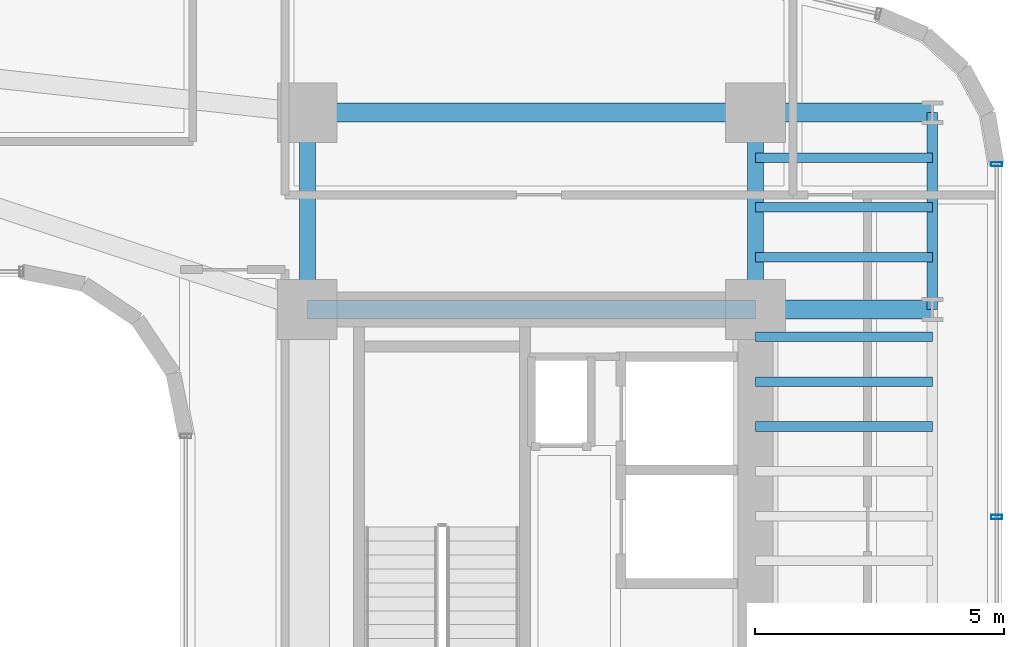
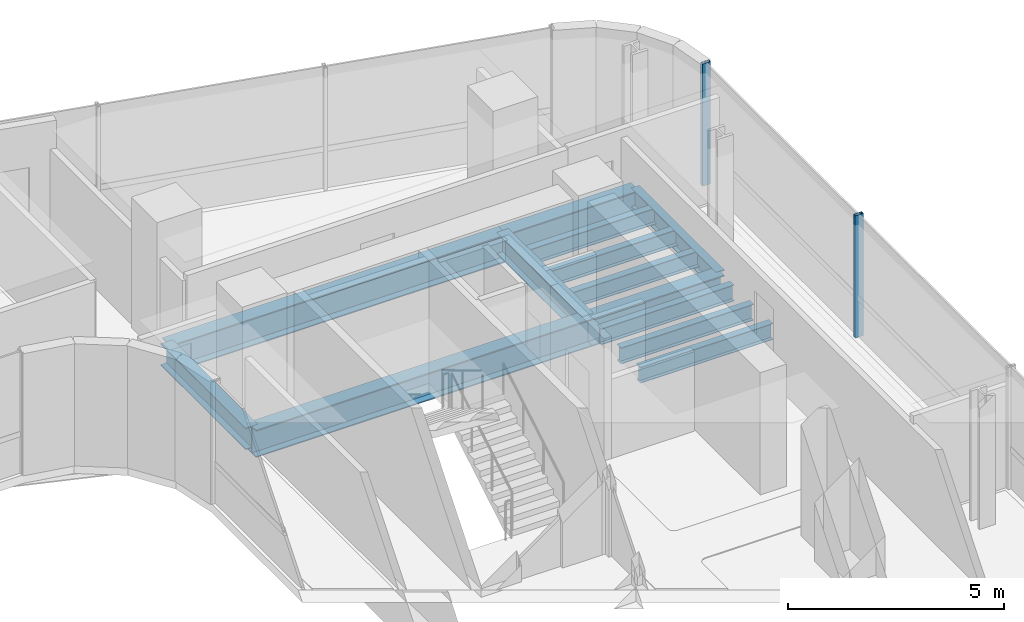
# One storey, part 17 of 34: 13 beams, 2 members, 1 element without a shape of its own.
"""IFC4 building model written with IfcOpenShell, lengths in metres."""

from ifc_helpers import new_model, si_unit, direction, frame, origin, origin_2d, place, context, subcontext, project, spatial, hollow_rectangle, i_section, extrude, source, transform, mapped, material, material_profile, profile_set, type_object, element, aggregate, save


model = new_model("IFC4")

# Units and contexts
model_context = context("Model", 3, precision=1e-05, world=origin(), true_north=direction((0.0, 1.0)))
body_context = subcontext(model_context, "Body", "Model", "MODEL_VIEW")
ifc_project = project(units=[si_unit("LENGTHUNIT", "METRE"), si_unit("AREAUNIT", "SQUARE_METRE"), si_unit("VOLUMEUNIT", "CUBIC_METRE"), si_unit("PLANEANGLEUNIT", "RADIAN"), si_unit("MASSUNIT", "GRAM", prefix="KILO")], contexts=[model_context])

# Site, building, storey
site_placement = place(None, origin())
site = spatial("IfcSite", under=ifc_project, at=site_placement, CompositionType="ELEMENT")
building_placement = place(site_placement, origin())
building = spatial("IfcBuilding", under=site, at=building_placement, Name="Valdorenza Pilgrim Sanctuary Tower", CompositionType="ELEMENT")
storey_placement = place(building_placement, frame((0.0, 0.0, 142.699951171875)))
storey = spatial("IfcBuildingStorey", under=building, at=storey_placement, Name="L36", CompositionType="ELEMENT", Elevation=142.699951171875)

# Beams
ifc_material_1 = material(Name="Steel ASTM A992 Grade 50", Category="steel")
ifc_material_profile_1 = material_profile(ifc_material_1, i_section(OverallWidth=0.323974609375, OverallDepth=0.611083984375, WebThickness=0.0126953125, FlangeThickness=0.01904296875, at=origin_2d()), Name="W24X104")
ifc_profile_set_1 = profile_set([ifc_material_profile_1], Name="Steel ASTM A992 Grade 50")
beam_type_1 = type_object("IfcBeamType", Name="STR-BM-GRD-W24B", PredefinedType="BEAM", material=ifc_profile_set_1)
shared_shape_1 = source(origin(), body_context, "Body", "SweptSolid", [
    extrude(i_section(OverallWidth=0.323974609375, OverallDepth=0.611083984375, WebThickness=0.0126953125, FlangeThickness=0.01904296875, at=origin_2d()), origin(), (0.0, 0.0, 1.0), 3.949951171875),
])
for number, where, z_axis, x_axis, name in (
    (1, (15.85009765625, 9.550048828125, -0.54541015625), (0.0, 1.0, 0.0), (-1.0, 0.0, 0.0), "L36 Core Tie Girder CB-W-N1N2"),
    (2, (24.85009765625, 9.550048828125, -0.54541015625), (0.0, 1.0, 0.0), (-1.0, 0.0, 0.0), "L36 Core Tie Girder CB-E-N1N2"),
):
    element("IfcBeam", number, at=place(storey_placement, frame(where, z_axis=z_axis, x_axis=x_axis)), inside=storey, type_object=beam_type_1, Name=name, PredefinedType="BEAM", context=body_context, shape_type="MappedRepresentation", body=[
        mapped(shared_shape_1, transform((0.0, 0.0, 0.0), x_axis=(1.0, 0.0, 0.0), y_axis=(0.0, 1.0, 0.0), z_axis=(0.0, 0.0, 1.0), scale=1.0)),
    ])
ifc_material_profile_2 = material_profile(ifc_material_1, i_section(OverallWidth=0.214111328125, OverallDepth=0.549072265625, WebThickness=0.0146484375, FlangeThickness=0.023681640625, at=origin_2d()), Name="W21X93")
ifc_profile_set_2 = profile_set([ifc_material_profile_2], Name="Steel ASTM A992 Grade 50")
beam_type_2 = type_object("IfcBeamType", Name="STR-BM-SPN-W21A", PredefinedType="SPANDREL", material=ifc_profile_set_2)
shared_shape_2 = source(origin(), body_context, "Body", "SweptSolid", [
    extrude(i_section(OverallWidth=0.214111328125, OverallDepth=0.549072265625, WebThickness=0.0146484375, FlangeThickness=0.023681640625, at=origin_2d()), origin(), (0.0, 0.0, 1.0), 3.949951171875),
])
beam_placement = place(storey_placement, frame((28.39990234375, 9.550048828125, -0.514404296875), z_axis=(0.0, 1.0, 0.0), x_axis=(-1.0, 0.0, 0.0)))
element("IfcBeam", 3, at=beam_placement, inside=storey, type_object=beam_type_2, Name="L36 Spandrel Beam WB-E-N1N2", PredefinedType="SPANDREL", context=body_context, shape_type="MappedRepresentation", body=[
    mapped(shared_shape_2, transform((0.0, 0.0, 0.0), x_axis=(1.0, 0.0, 0.0), y_axis=(0.0, 1.0, 0.0), z_axis=(0.0, 0.0, 1.0), scale=1.0)),
])
ifc_material_profile_3 = material_profile(ifc_material_1, i_section(OverallWidth=0.382080078125, OverallDepth=0.779052734375, WebThickness=0.01806640625, FlangeThickness=0.030029296875, at=origin_2d()), Name="W30X191")
ifc_profile_set_3 = profile_set([ifc_material_profile_3], Name="Steel ASTM A992 Grade 50")
beam_type_3 = type_object("IfcBeamType", Name="STR-BM-GRD-W30", PredefinedType="BEAM", material=ifc_profile_set_3)
shared_shape_3 = source(origin(), body_context, "Body", "SweptSolid", [
    extrude(i_section(OverallWidth=0.382080078125, OverallDepth=0.779052734375, WebThickness=0.01806640625, FlangeThickness=0.030029296875, at=origin_2d()), origin(), (0.0, 0.0, 1.0), 9.0),
])
for number, where, z_axis, x_axis, name in (
    (4, (15.85009765625, 9.550048828125, -0.62939453125), (1.0, 0.0, 0.0), (0.0, 1.0, 0.0), "L36 Floor Girder CB-XC-N1"),
    (5, (15.85009765625, 13.5, -0.62939453125), (1.0, 0.0, 0.0), (0.0, 1.0, 0.0), "L36 Floor Girder CB-XC-N2"),
):
    element("IfcBeam", number, at=place(storey_placement, frame(where, z_axis=z_axis, x_axis=x_axis)), inside=storey, type_object=beam_type_3, Name=name, PredefinedType="BEAM", context=body_context, shape_type="MappedRepresentation", body=[
        mapped(shared_shape_3, transform((0.0, 0.0, 0.0), x_axis=(1.0, 0.0, 0.0), y_axis=(0.0, 1.0, 0.0), z_axis=(0.0, 0.0, 1.0), scale=1.0)),
    ])
shared_shape_4 = source(origin(), body_context, "Body", "SweptSolid", [
    extrude(i_section(OverallWidth=0.382080078125, OverallDepth=0.779052734375, WebThickness=0.01806640625, FlangeThickness=0.030029296875, at=origin_2d()), origin(), (0.0, 0.0, 1.0), 3.5498046875),
])
for number, where, z_axis, x_axis, name in (
    (6, (24.85009765625, 9.550048828125, -0.62939453125), (1.0, 0.0, 0.0), (0.0, 1.0, 0.0), "L36 Floor Girder WB-XE-N1"),
    (7, (24.85009765625, 13.5, -0.62939453125), (1.0, 0.0, 0.0), (0.0, 1.0, 0.0), "L36 Floor Girder WB-XE-N2"),
):
    element("IfcBeam", number, at=place(storey_placement, frame(where, z_axis=z_axis, x_axis=x_axis)), inside=storey, type_object=beam_type_3, Name=name, PredefinedType="BEAM", context=body_context, shape_type="MappedRepresentation", body=[
        mapped(shared_shape_4, transform((0.0, 0.0, 0.0), x_axis=(1.0, 0.0, 0.0), y_axis=(0.0, 1.0, 0.0), z_axis=(0.0, 0.0, 1.0), scale=1.0)),
    ])
ifc_material_profile_4 = material_profile(ifc_material_1, i_section(OverallWidth=0.19091796875, OverallDepth=0.45703125, WebThickness=0.009033203125, FlangeThickness=0.014404296875, at=origin_2d()), Name="W18X50")
ifc_profile_set_4 = profile_set([ifc_material_profile_4], Name="Steel ASTM A992 Grade 50")
beam_type_4 = type_object("IfcBeamType", Name="STR-BM-JST-W18B", PredefinedType="JOIST", material=ifc_profile_set_4)
shared_shape_5 = source(origin(), body_context, "Body", "SweptSolid", [
    extrude(i_section(OverallWidth=0.19091796875, OverallDepth=0.45703125, WebThickness=0.009033203125, FlangeThickness=0.014404296875, at=origin_2d()), origin(), (0.0, 0.0, 1.0), 3.5498046875),
])
for number, where, z_axis, x_axis, name in (
    (8, (24.85009765625, 7.199951171875, -0.468505859375), (1.0, 0.0, 0.0), (0.0, 1.0, 0.0), "L36 Composite Floor Joist JST-WB-16"),
    (9, (24.85009765625, 8.10009765625, -0.468505859375), (1.0, 0.0, 0.0), (0.0, 1.0, 0.0), "L36 Composite Floor Joist JST-WB-17"),
    (10, (24.85009765625, 9.0, -0.468505859375), (1.0, 0.0, 0.0), (0.0, 1.0, 0.0), "L36 Composite Floor Joist JST-WB-18"),
    (11, (24.85009765625, 10.60009765625, -0.468505859375), (1.0, 0.0, 0.0), (0.0, 1.0, 0.0), "L36 Composite Floor Joist JST-WB-19"),
    (12, (24.85009765625, 11.60009765625, -0.468505859375), (1.0, 0.0, 0.0), (0.0, 1.0, 0.0), "L36 Composite Floor Joist JST-WB-20"),
    (13, (24.85009765625, 12.60009765625, -0.468505859375), (1.0, 0.0, 0.0), (0.0, 1.0, 0.0), "L36 Composite Floor Joist JST-WB-21"),
):
    element("IfcBeam", number, at=place(storey_placement, frame(where, z_axis=z_axis, x_axis=x_axis)), inside=storey, type_object=beam_type_4, Name=name, PredefinedType="JOIST", context=body_context, shape_type="MappedRepresentation", body=[
        mapped(shared_shape_5, transform((0.0, 0.0, 0.0), x_axis=(1.0, 0.0, 0.0), y_axis=(0.0, 1.0, 0.0), z_axis=(0.0, 0.0, 1.0), scale=1.0)),
    ])

# Curtain wall, members
ifc_material_2 = material(Name="Curtain-wall IGU glazing", Category="glass")
curtain_wall_type = type_object("IfcCurtainWallType", Name="CW-SYS-03", PredefinedType="NOTDEFINED", material=ifc_material_2)
curtain_wall_placement = place(storey_placement, origin())
curtain_wall = element("IfcCurtainWall", 14, at=curtain_wall_placement, inside=storey, type_object=curtain_wall_type, Name="L36 Curtain Wall CW-L36-1-21", PredefinedType="NOTDEFINED")
ifc_material_3 = material(Name="Anodised aluminium AW-6060", Category="aluminium")
ifc_material_profile_5 = material_profile(ifc_material_3, hollow_rectangle(XDim=0.0849609375, YDim=0.219970703125, WallThickness=0.0048828125, at=origin_2d()), Name="ALU-M 220x85x5")
ifc_profile_set_5 = profile_set([ifc_material_profile_5], Name="Anodised aluminium AW-6060")
member_type = type_object("IfcMemberType", Name="CW-MUL-03", PredefinedType="MULLION", material=ifc_profile_set_5)
shared_shape_6 = source(origin(), body_context, "Body", "SweptSolid", [
    extrude(hollow_rectangle(XDim=0.0849609375, YDim=0.219970703125, WallThickness=0.0048828125, at=origin_2d()), origin(), (0.0, 0.0, 1.0), 3.4599609375),
])
member_1_placement = place(storey_placement, frame((29.68994140625, 12.46630859375, 0.0), z_axis=(0.0, 0.0, 1.0), x_axis=(0.0, -1.0, 0.0)))
member_1 = element("IfcMember", 15, at=member_1_placement, type_object=member_type, Name="CW-L36-1-21 Mullion 1", PredefinedType="MULLION", context=body_context, shape_type="MappedRepresentation", body=[
    mapped(shared_shape_6, transform((0.0, 0.0, 0.0), x_axis=(1.0, 0.0, 0.0), y_axis=(0.0, 1.0, 0.0), z_axis=(0.0, 0.0, 1.0), scale=1.0)),
])
member_2_placement = place(storey_placement, frame((29.68994140625, 5.381103515625, 0.0), z_axis=(0.0, 0.0, 1.0), x_axis=(0.0, -1.0, 0.0)))
member_2 = element("IfcMember", 16, at=member_2_placement, type_object=member_type, Name="CW-L36-1-21 Mullion 2", PredefinedType="MULLION", context=body_context, shape_type="MappedRepresentation", body=[
    mapped(shared_shape_6, transform((0.0, 0.0, 0.0), x_axis=(1.0, 0.0, 0.0), y_axis=(0.0, 1.0, 0.0), z_axis=(0.0, 0.0, 1.0), scale=1.0)),
])
aggregate(curtain_wall, [member_1, member_2])

save(model, "model.ifc")
